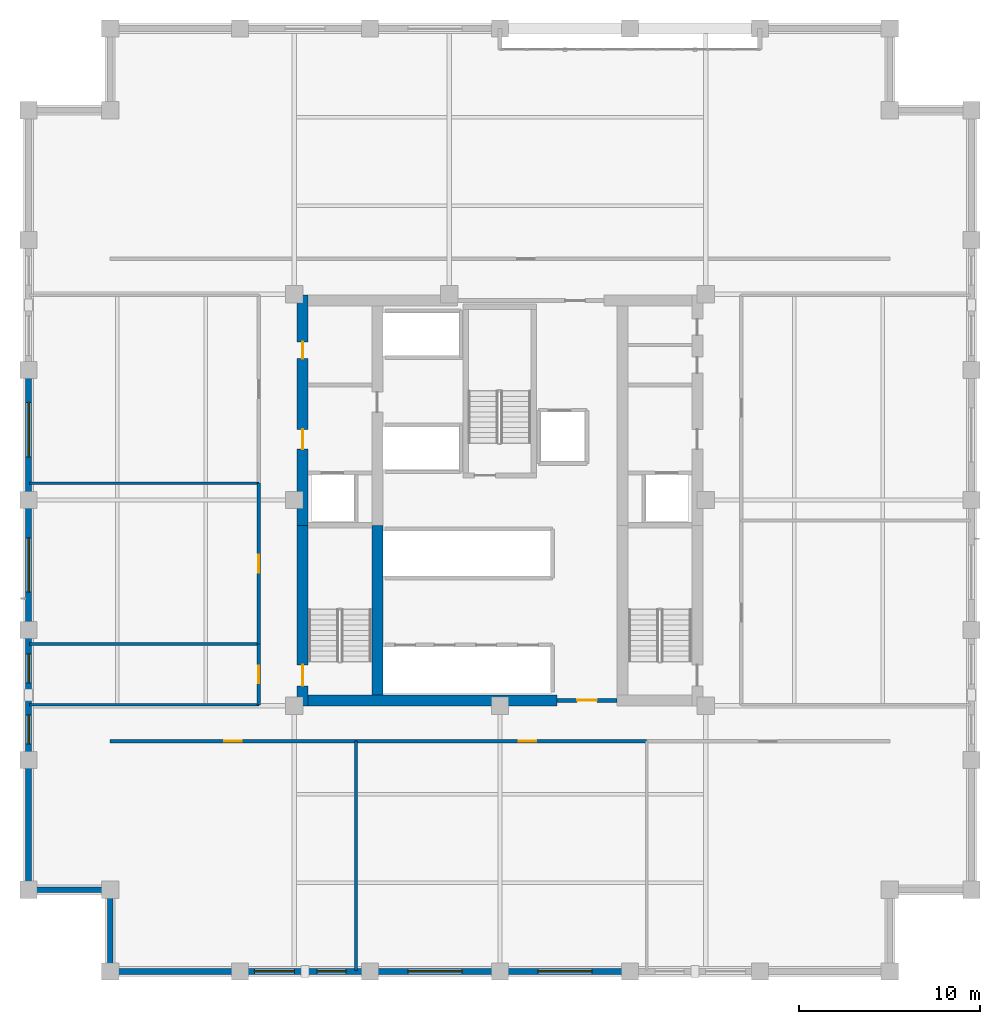
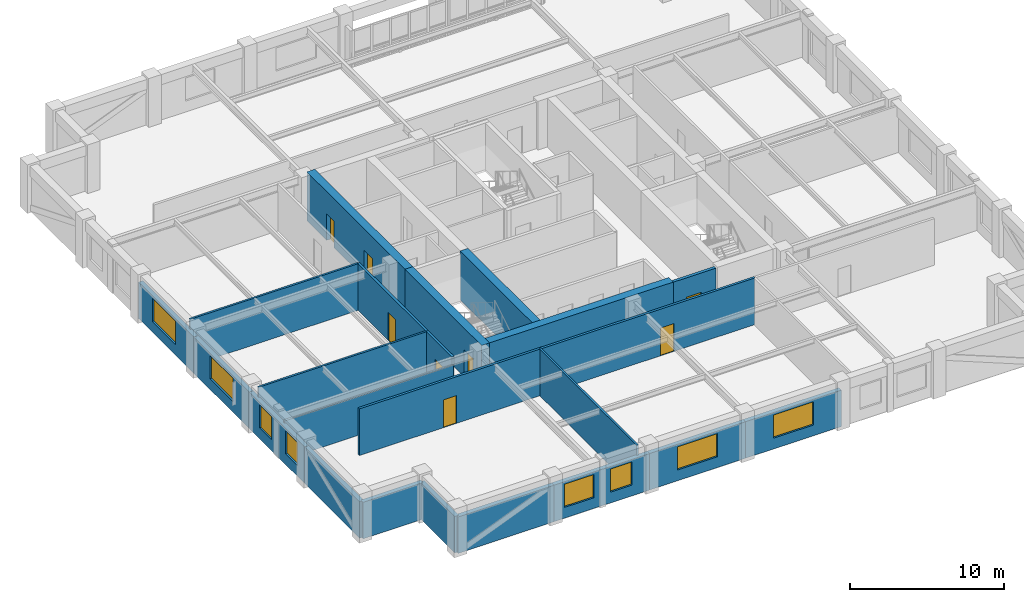
# One storey, part 6 of 11: 23 walls, 8 doors, 8 windows, 16 openings.
"""IFC4 building model written with IfcOpenShell, lengths in metres."""

from ifc_helpers import new_model, si_unit, direction, frame, frame_2d, origin, place, context, subcontext, project, spatial, rectangle, extrude, material, layer, layer_set, type_object, element, fill, save


model = new_model("IFC4")

# Units and contexts
model_context = context("Model", 3, precision=1e-05, world=origin(), true_north=direction((0.0, 1.0)))
body_context = subcontext(model_context, "Body", "Model", "MODEL_VIEW")
ifc_project = project(units=[si_unit("LENGTHUNIT", "METRE"), si_unit("AREAUNIT", "SQUARE_METRE"), si_unit("VOLUMEUNIT", "CUBIC_METRE"), si_unit("PLANEANGLEUNIT", "RADIAN"), si_unit("MASSUNIT", "GRAM", prefix="KILO")], contexts=[model_context])

# Site, building, storey
site_placement = place(None, origin())
site = spatial("IfcSite", under=ifc_project, at=site_placement, CompositionType="ELEMENT")
building_placement = place(site_placement, origin())
building = spatial("IfcBuilding", under=site, at=building_placement, Name="Nhamokura Convention Tower", CompositionType="ELEMENT")
storey_placement = place(building_placement, frame((0.0, 0.0, 133.699951171875)))
storey = spatial("IfcBuildingStorey", under=building, at=storey_placement, Name="L32", CompositionType="ELEMENT", Elevation=133.699951171875)

# Wall
ifc_material_1 = material(Name="Bronze-pigmented precast concrete C45/55", Category="concrete")
ifc_layer_1 = layer(ifc_material_1, 0.320068359375)
ifc_layer_set_1 = layer_set([ifc_layer_1], Name="BronzePrecastSpandrel_320")
wall_type_1 = type_object("IfcWallType", Name="BronzePrecastSpandrel_320", PredefinedType="USERDEFINED", material=ifc_layer_set_1)
wall_1_placement = place(storey_placement, frame((17.666748046875, 6.0, 0.0), z_axis=(0.0, 0.0, 1.0), x_axis=(-1.0, 0.0, 0.0)))
element("IfcWall", 1, at=wall_1_placement, inside=storey, type_object=wall_type_1, Name="L32 Braced-Bay Precast Wall SOUTH 0", ObjectType="SPANDREL_WALL", PredefinedType="USERDEFINED", context=body_context, shape_type="SweptSolid", body=[
    extrude(rectangle(XDim=7.166748046875, YDim=0.320068359375, at=frame_2d((3.58349609375, 0.0))), origin(), (0.0, 0.0, 1.0), 2.885009765625),
])

# Wall, openings, windows
wall_2_placement = place(storey_placement, frame((24.833251953125, 6.0, 0.0), z_axis=(0.0, 0.0, 1.0), x_axis=(-1.0, 0.0, 0.0)))
wall_2 = element("IfcWall", 2, at=wall_2_placement, inside=storey, type_object=wall_type_1, Name="L32 Masonry-Frame Wall SOUTH 1", ObjectType="SPANDREL_WALL", PredefinedType="USERDEFINED", context=body_context, shape_type="SweptSolid", body=[
    extrude(rectangle(XDim=7.16650390625, YDim=0.320068359375, at=frame_2d((3.583251953125, 0.0))), origin(), (0.0, 0.0, 1.0), 2.885009765625),
])
opening_1_placement = place(wall_2_placement, frame((1.316650390625, 0.0, 0.85009765625)))
opening_1 = element("IfcOpeningElement", 3, at=opening_1_placement, cuts=wall_2, Name="Opening W-11", PredefinedType="OPENING", context=body_context, shape_type="SweptSolid", body=[
    extrude(rectangle(XDim=1.60009765625, YDim=1.8349609375, at=frame_2d((0.800048828125, 0.91748046875))), frame((0.0, 0.169921875, 0.0), z_axis=(0.0, -1.0, 0.0), x_axis=(1.0, 0.0, 0.0)), (0.0, 0.0, 1.0), 0.340087890625),
])
opening_2_placement = place(wall_2_placement, frame((4.175048828125, 0.0, 0.85009765625)))
opening_2 = element("IfcOpeningElement", 4, at=opening_2_placement, cuts=wall_2, Name="Opening W-06", PredefinedType="OPENING", context=body_context, shape_type="SweptSolid", body=[
    extrude(rectangle(XDim=2.199951171875, YDim=1.8349609375, at=frame_2d((1.10009765625, 0.91748046875))), frame((0.0, 0.169921875, 0.0), z_axis=(0.0, -1.0, 0.0), x_axis=(1.0, 0.0, 0.0)), (0.0, 0.0, 1.0), 0.340087890625),
])
ifc_material_2 = material(Name="Solar-control bronze low-E double glass", Category="glass")
window_type_1 = type_object("IfcWindowType", Name="NotchCornerWindow_1600", PartitioningType="SINGLE_PANEL", PredefinedType="WINDOW", material=ifc_material_2)
window_1_placement = place(opening_1_placement, origin())
window_1 = element("IfcWindow", 5, at=window_1_placement, inside=storey, type_object=window_type_1, Name="L32 Facade Window SOUTH 1-1", OverallHeight=1.8349609375, OverallWidth=1.60009765625, PartitioningType="SINGLE_PANEL", PredefinedType="WINDOW", context=body_context, shape_type="SweptSolid", body=[
    extrude(rectangle(XDim=1.60009765625, YDim=1.8349609375, at=frame_2d((0.800048828125, 0.91748046875))), frame((0.0, 0.030029296875, 0.0), z_axis=(0.0, -1.0, 0.0), x_axis=(1.0, 0.0, 0.0)), (0.0, 0.0, 1.0), 0.06005859375),
])
fill(opening_1, window_1)
ifc_material_3 = material(Name="Solar-control bronze low-E double glass", Category="glass")
window_type_2 = type_object("IfcWindowType", Name="OfficeModuleWindow_Z2_2200", PartitioningType="SINGLE_PANEL", PredefinedType="WINDOW", material=ifc_material_3)
window_2_placement = place(opening_2_placement, origin())
window_2 = element("IfcWindow", 6, at=window_2_placement, inside=storey, type_object=window_type_2, Name="L32 Facade Window SOUTH 1-2", OverallHeight=1.8349609375, OverallWidth=2.199951171875, PartitioningType="SINGLE_PANEL", PredefinedType="WINDOW", context=body_context, shape_type="SweptSolid", body=[
    extrude(rectangle(XDim=2.199951171875, YDim=1.8349609375, at=frame_2d((1.10009765625, 0.91748046875))), frame((0.0, 0.030029296875, 0.0), z_axis=(0.0, -1.0, 0.0), x_axis=(1.0, 0.0, 0.0)), (0.0, 0.0, 1.0), 0.06005859375),
])
fill(opening_2, window_2)

# Wall, opening, window
wall_3_placement = place(storey_placement, frame((32.0, 6.0, 0.0), z_axis=(0.0, 0.0, 1.0), x_axis=(-1.0, 0.0, 0.0)))
wall_3 = element("IfcWall", 7, at=wall_3_placement, inside=storey, type_object=wall_type_1, Name="L32 Masonry-Frame Wall SOUTH 2", ObjectType="SPANDREL_WALL", PredefinedType="USERDEFINED", context=body_context, shape_type="SweptSolid", body=[
    extrude(rectangle(XDim=7.166748046875, YDim=0.320068359375, at=frame_2d((3.58349609375, 0.0))), origin(), (0.0, 0.0, 1.0), 2.885009765625),
])
opening_3_placement = place(wall_3_placement, frame((2.083251953125, 0.0, 0.85009765625)))
opening_3 = element("IfcOpeningElement", 8, at=opening_3_placement, cuts=wall_3, Name="Opening W-05", PredefinedType="OPENING", context=body_context, shape_type="SweptSolid", body=[
    extrude(rectangle(XDim=3.0, YDim=1.8349609375, at=frame_2d((1.5, 0.91748046875))), frame((0.0, 0.169921875, 0.0), z_axis=(0.0, -1.0, 0.0), x_axis=(1.0, 0.0, 0.0)), (0.0, 0.0, 1.0), 0.340087890625),
])
ifc_material_4 = material(Name="Solar-control bronze low-E double glass", Category="glass")
window_type_3 = type_object("IfcWindowType", Name="OfficeModuleWindow_Z2_3000", PartitioningType="DOUBLE_PANEL_VERTICAL", PredefinedType="WINDOW", material=ifc_material_4)
window_3_placement = place(opening_3_placement, origin())
window_3 = element("IfcWindow", 9, at=window_3_placement, inside=storey, type_object=window_type_3, Name="L32 Facade Window SOUTH 2", OverallHeight=1.8349609375, OverallWidth=3.0, PartitioningType="SINGLE_PANEL", PredefinedType="WINDOW", context=body_context, shape_type="SweptSolid", body=[
    extrude(rectangle(XDim=3.0, YDim=1.8349609375, at=frame_2d((1.5, 0.91748046875))), frame((0.0, 0.030029296875, 0.0), z_axis=(0.0, -1.0, 0.0), x_axis=(1.0, 0.0, 0.0)), (0.0, 0.0, 1.0), 0.06005859375),
])
fill(opening_3, window_3)

wall_4_placement = place(storey_placement, frame((39.166748046875, 6.0, 0.0), z_axis=(0.0, 0.0, 1.0), x_axis=(-1.0, 0.0, 0.0)))
wall_4 = element("IfcWall", 10, at=wall_4_placement, inside=storey, type_object=wall_type_1, Name="L32 Masonry-Frame Wall SOUTH 3", ObjectType="SPANDREL_WALL", PredefinedType="USERDEFINED", context=body_context, shape_type="SweptSolid", body=[
    extrude(rectangle(XDim=7.166748046875, YDim=0.320068359375, at=frame_2d((3.58349609375, 0.0))), origin(), (0.0, 0.0, 1.0), 2.885009765625),
])
opening_4_placement = place(wall_4_placement, frame((2.083251953125, 0.0, 0.85009765625)))
opening_4 = element("IfcOpeningElement", 11, at=opening_4_placement, cuts=wall_4, Name="Opening W-05", PredefinedType="OPENING", context=body_context, shape_type="SweptSolid", body=[
    extrude(rectangle(XDim=3.0, YDim=1.8349609375, at=frame_2d((1.5, 0.91748046875))), frame((0.0, 0.169921875, 0.0), z_axis=(0.0, -1.0, 0.0), x_axis=(1.0, 0.0, 0.0)), (0.0, 0.0, 1.0), 0.340087890625),
])
window_4_placement = place(opening_4_placement, origin())
window_4 = element("IfcWindow", 12, at=window_4_placement, inside=storey, type_object=window_type_3, Name="L32 Facade Window SOUTH 3", OverallHeight=1.8349609375, OverallWidth=3.0, PartitioningType="SINGLE_PANEL", PredefinedType="WINDOW", context=body_context, shape_type="SweptSolid", body=[
    extrude(rectangle(XDim=3.0, YDim=1.8349609375, at=frame_2d((1.5, 0.91748046875))), frame((0.0, 0.030029296875, 0.0), z_axis=(0.0, -1.0, 0.0), x_axis=(1.0, 0.0, 0.0)), (0.0, 0.0, 1.0), 0.06005859375),
])
fill(opening_4, window_4)

# Wall
wall_5_placement = place(storey_placement, frame((6.0, 10.5, 0.0), z_axis=(0.0, 0.0, 1.0), x_axis=(0.0, 1.0, 0.0)))
element("IfcWall", 13, at=wall_5_placement, inside=storey, type_object=wall_type_1, Name="L32 Braced-Bay Precast Wall WEST 0", ObjectType="SPANDREL_WALL", PredefinedType="USERDEFINED", context=body_context, shape_type="SweptSolid", body=[
    extrude(rectangle(XDim=7.166748046875, YDim=0.320068359375, at=frame_2d((3.58349609375, 0.0))), origin(), (0.0, 0.0, 1.0), 2.885009765625),
])

# Wall, openings, windows
wall_6_placement = place(storey_placement, frame((6.0, 17.666748046875, 0.0), z_axis=(0.0, 0.0, 1.0), x_axis=(0.0, 1.0, 0.0)))
wall_6 = element("IfcWall", 14, at=wall_6_placement, inside=storey, type_object=wall_type_1, Name="L32 Masonry-Frame Wall WEST 1", ObjectType="SPANDREL_WALL", PredefinedType="USERDEFINED", context=body_context, shape_type="SweptSolid", body=[
    extrude(rectangle(XDim=7.16650390625, YDim=0.320068359375, at=frame_2d((3.583251953125, 0.0))), origin(), (0.0, 0.0, 1.0), 2.885009765625),
])
opening_5_placement = place(wall_6_placement, frame((0.879150390625, 0.0, 0.85009765625)))
opening_5 = element("IfcOpeningElement", 15, at=opening_5_placement, cuts=wall_6, Name="Opening W-11", PredefinedType="OPENING", context=body_context, shape_type="SweptSolid", body=[
    extrude(rectangle(XDim=1.60009765625, YDim=1.8349609375, at=frame_2d((0.800048828125, 0.91748046875))), frame((0.0, 0.169921875, 0.0), z_axis=(0.0, -1.0, 0.0), x_axis=(1.0, 0.0, 0.0)), (0.0, 0.0, 1.0), 0.340087890625),
])
opening_6_placement = place(wall_6_placement, frame((4.25, 0.0, 0.85009765625)))
opening_6 = element("IfcOpeningElement", 16, at=opening_6_placement, cuts=wall_6, Name="Opening W-11", PredefinedType="OPENING", context=body_context, shape_type="SweptSolid", body=[
    extrude(rectangle(XDim=1.60009765625, YDim=1.8349609375, at=frame_2d((0.800048828125, 0.91748046875))), frame((0.0, 0.169921875, 0.0), z_axis=(0.0, -1.0, 0.0), x_axis=(1.0, 0.0, 0.0)), (0.0, 0.0, 1.0), 0.340087890625),
])
window_5_placement = place(opening_5_placement, origin())
window_5 = element("IfcWindow", 17, at=window_5_placement, inside=storey, type_object=window_type_1, Name="L32 Facade Window WEST 1-1", OverallHeight=1.8349609375, OverallWidth=1.60009765625, PartitioningType="SINGLE_PANEL", PredefinedType="WINDOW", context=body_context, shape_type="SweptSolid", body=[
    extrude(rectangle(XDim=1.60009765625, YDim=1.8349609375, at=frame_2d((0.800048828125, 0.91748046875))), frame((0.0, 0.030029296875, 0.0), z_axis=(0.0, -1.0, 0.0), x_axis=(1.0, 0.0, 0.0)), (0.0, 0.0, 1.0), 0.06005859375),
])
fill(opening_5, window_5)
window_6_placement = place(opening_6_placement, origin())
window_6 = element("IfcWindow", 18, at=window_6_placement, inside=storey, type_object=window_type_1, Name="L32 Facade Window WEST 1-2", OverallHeight=1.8349609375, OverallWidth=1.60009765625, PartitioningType="SINGLE_PANEL", PredefinedType="WINDOW", context=body_context, shape_type="SweptSolid", body=[
    extrude(rectangle(XDim=1.60009765625, YDim=1.8349609375, at=frame_2d((0.800048828125, 0.91748046875))), frame((0.0, 0.030029296875, 0.0), z_axis=(0.0, -1.0, 0.0), x_axis=(1.0, 0.0, 0.0)), (0.0, 0.0, 1.0), 0.06005859375),
])
fill(opening_6, window_6)

# Wall, opening, window
wall_7_placement = place(storey_placement, frame((6.0, 24.833251953125, 0.0), z_axis=(0.0, 0.0, 1.0), x_axis=(0.0, 1.0, 0.0)))
wall_7 = element("IfcWall", 19, at=wall_7_placement, inside=storey, type_object=wall_type_1, Name="L32 Masonry-Frame Wall WEST 2", ObjectType="SPANDREL_WALL", PredefinedType="USERDEFINED", context=body_context, shape_type="SweptSolid", body=[
    extrude(rectangle(XDim=7.166748046875, YDim=0.320068359375, at=frame_2d((3.58349609375, 0.0))), origin(), (0.0, 0.0, 1.0), 2.885009765625),
])
opening_7_placement = place(wall_7_placement, frame((2.083251953125, 0.0, 0.85009765625)))
opening_7 = element("IfcOpeningElement", 20, at=opening_7_placement, cuts=wall_7, Name="Opening W-05", PredefinedType="OPENING", context=body_context, shape_type="SweptSolid", body=[
    extrude(rectangle(XDim=3.0, YDim=1.8349609375, at=frame_2d((1.5, 0.91748046875))), frame((0.0, 0.169921875, 0.0), z_axis=(0.0, -1.0, 0.0), x_axis=(1.0, 0.0, 0.0)), (0.0, 0.0, 1.0), 0.340087890625),
])
window_7_placement = place(opening_7_placement, origin())
window_7 = element("IfcWindow", 21, at=window_7_placement, inside=storey, type_object=window_type_3, Name="L32 Facade Window WEST 2", OverallHeight=1.8349609375, OverallWidth=3.0, PartitioningType="SINGLE_PANEL", PredefinedType="WINDOW", context=body_context, shape_type="SweptSolid", body=[
    extrude(rectangle(XDim=3.0, YDim=1.8349609375, at=frame_2d((1.5, 0.91748046875))), frame((0.0, 0.030029296875, 0.0), z_axis=(0.0, -1.0, 0.0), x_axis=(1.0, 0.0, 0.0)), (0.0, 0.0, 1.0), 0.06005859375),
])
fill(opening_7, window_7)

wall_8_placement = place(storey_placement, frame((6.0, 32.0, 0.0), z_axis=(0.0, 0.0, 1.0), x_axis=(0.0, 1.0, 0.0)))
wall_8 = element("IfcWall", 22, at=wall_8_placement, inside=storey, type_object=wall_type_1, Name="L32 Masonry-Frame Wall WEST 3", ObjectType="SPANDREL_WALL", PredefinedType="USERDEFINED", context=body_context, shape_type="SweptSolid", body=[
    extrude(rectangle(XDim=7.166748046875, YDim=0.320068359375, at=frame_2d((3.58349609375, 0.0))), origin(), (0.0, 0.0, 1.0), 2.885009765625),
])
opening_8_placement = place(wall_8_placement, frame((2.38330078125, 0.0, 0.85009765625)))
opening_8 = element("IfcOpeningElement", 23, at=opening_8_placement, cuts=wall_8, Name="Opening W-05", PredefinedType="OPENING", context=body_context, shape_type="SweptSolid", body=[
    extrude(rectangle(XDim=3.0, YDim=1.8349609375, at=frame_2d((1.5, 0.91748046875))), frame((0.0, 0.169921875, 0.0), z_axis=(0.0, -1.0, 0.0), x_axis=(1.0, 0.0, 0.0)), (0.0, 0.0, 1.0), 0.340087890625),
])
window_8_placement = place(opening_8_placement, origin())
window_8 = element("IfcWindow", 24, at=window_8_placement, inside=storey, type_object=window_type_3, Name="L32 Facade Window WEST 3", OverallHeight=1.8349609375, OverallWidth=3.0, PartitioningType="SINGLE_PANEL", PredefinedType="WINDOW", context=body_context, shape_type="SweptSolid", body=[
    extrude(rectangle(XDim=3.0, YDim=1.8349609375, at=frame_2d((1.5, 0.91748046875))), frame((0.0, 0.030029296875, 0.0), z_axis=(0.0, -1.0, 0.0), x_axis=(1.0, 0.0, 0.0)), (0.0, 0.0, 1.0), 0.06005859375),
])
fill(opening_8, window_8)

# Walls
for number, where, z_axis, x_axis, name in (
    (25, (10.5, 6.0, 0.0), (0.0, 0.0, 1.0), (0.0, 1.0, 0.0), "L32 Notched Corner Wall SW1"),
    (26, (10.5, 10.5, 0.0), (0.0, 0.0, 1.0), (-1.0, 0.0, 0.0), "L32 Notched Corner Wall SW2"),
):
    element("IfcWall", number, at=place(storey_placement, frame(where, z_axis=z_axis, x_axis=x_axis)), inside=storey, type_object=wall_type_1, Name=name, ObjectType="SPANDREL_WALL", PredefinedType="USERDEFINED", context=body_context, shape_type="SweptSolid", body=[
        extrude(rectangle(XDim=4.5, YDim=0.320068359375, at=frame_2d((2.25, 0.0))), origin(), (0.0, 0.0, 1.0), 2.885009765625),
    ])

# Wall, opening, door
ifc_material_5 = material(Name="Concrete C60/75", Category="concrete")
ifc_layer_2 = layer(ifc_material_5, 0.60009765625)
ifc_layer_set_2 = layer_set([ifc_layer_2], Name="CoreShearWall_600")
wall_type_2 = type_object("IfcWallType", Name="CoreShearWall_600", PredefinedType="SHEAR", material=ifc_layer_set_2)
wall_9_placement = place(storey_placement, frame((21.110107421875, 20.64990234375, 0.0), z_axis=(0.0, 0.0, 1.0), x_axis=(0.0, 1.0, 0.0)))
wall_9 = element("IfcWall", 27, at=wall_9_placement, inside=storey, type_object=wall_type_2, Name="L32 Core Shear Wall CW-WS", PredefinedType="SHEAR", context=body_context, shape_type="SweptSolid", body=[
    extrude(rectangle(XDim=9.9501953125, YDim=0.60009765625, at=frame_2d((4.97509765625, 0.0))), origin(), (0.0, 0.0, 1.0), 3.85009765625),
])
opening_9_placement = place(wall_9_placement, frame((1.10009765625, 0.0, 0.0)))
opening_9 = element("IfcOpeningElement", 28, at=opening_9_placement, cuts=wall_9, Name="Opening D-04", PredefinedType="OPENING", context=body_context, shape_type="SweptSolid", body=[
    extrude(rectangle(XDim=1.14990234375, YDim=2.14990234375, at=frame_2d((0.574951171875, 1.074951171875))), frame((0.0, 0.31005859375, 0.0), z_axis=(0.0, -1.0, 0.0), x_axis=(1.0, 0.0, 0.0)), (0.0, 0.0, 1.0), 0.6201171875),
])
ifc_material_6 = material(Name="Fire-rated steel door", Category="steel")
door_type_1 = type_object("IfcDoorType", Name="StairSmokeDoor_1150", OperationType="NOTDEFINED", PredefinedType="DOOR", material=ifc_material_6)
door_1_placement = place(opening_9_placement, origin())
door_1 = element("IfcDoor", 29, at=door_1_placement, inside=storey, type_object=door_type_1, Name="L32 Core Door INT-L32-D-ST01", OperationType="SINGLE_SWING_LEFT", OverallHeight=2.14990234375, OverallWidth=1.14990234375, PredefinedType="DOOR", context=body_context, shape_type="SweptSolid", body=[
    extrude(rectangle(XDim=1.14990234375, YDim=2.14990234375, at=frame_2d((0.574951171875, 1.074951171875))), frame((0.0, 0.02490234375, 0.0), z_axis=(0.0, -1.0, 0.0), x_axis=(1.0, 0.0, 0.0)), (0.0, 0.0, 1.0), 0.050048828125),
])
fill(opening_9, door_1)

# Wall, openings, doors
wall_10_placement = place(storey_placement, frame((21.110107421875, 30.60009765625, 0.0), z_axis=(0.0, 0.0, 1.0), x_axis=(0.0, 1.0, 0.0)))
wall_10 = element("IfcWall", 30, at=wall_10_placement, inside=storey, type_object=wall_type_2, Name="L32 Core Shear Wall CW-WN", PredefinedType="SHEAR", context=body_context, shape_type="SweptSolid", body=[
    extrude(rectangle(XDim=12.699951171875, YDim=0.60009765625, at=frame_2d((6.35009765625, 0.0))), origin(), (0.0, 0.0, 1.0), 3.85009765625),
])
opening_10_placement = place(wall_10_placement, frame((4.199951171875, 0.0, 0.0)))
opening_10 = element("IfcOpeningElement", 31, at=opening_10_placement, cuts=wall_10, Name="Opening D-05", PredefinedType="OPENING", context=body_context, shape_type="SweptSolid", body=[
    extrude(rectangle(XDim=1.10009765625, YDim=2.14990234375, at=frame_2d((0.550048828125, 1.074951171875))), frame((0.0, 0.31005859375, 0.0), z_axis=(0.0, -1.0, 0.0), x_axis=(1.0, 0.0, 0.0)), (0.0, 0.0, 1.0), 0.6201171875),
])
opening_11_placement = place(wall_10_placement, frame((9.199951171875, 0.0, 0.0)))
opening_11 = element("IfcOpeningElement", 32, at=opening_11_placement, cuts=wall_10, Name="Opening D-10", PredefinedType="OPENING", context=body_context, shape_type="SweptSolid", body=[
    extrude(rectangle(XDim=0.919921875, YDim=2.10009765625, at=frame_2d((0.4599609375, 1.050048828125))), frame((0.0, 0.31005859375, 0.0), z_axis=(0.0, -1.0, 0.0), x_axis=(1.0, 0.0, 0.0)), (0.0, 0.0, 1.0), 0.6201171875),
])
ifc_material_7 = material(Name="Solid oak hardwood", Category="wood")
door_type_2 = type_object("IfcDoorType", Name="AccessibleWCDoor_920", OperationType="NOTDEFINED", PredefinedType="DOOR", material=ifc_material_7)
door_2_placement = place(opening_11_placement, origin())
door_2 = element("IfcDoor", 33, at=door_2_placement, inside=storey, type_object=door_type_2, Name="L32 Core Door INT-L32-D-AWC", OperationType="SINGLE_SWING_LEFT", OverallHeight=2.10009765625, OverallWidth=0.919921875, PredefinedType="DOOR", context=body_context, shape_type="SweptSolid", body=[
    extrude(rectangle(XDim=0.919921875, YDim=2.10009765625, at=frame_2d((0.4599609375, 1.050048828125))), frame((0.0, 0.02490234375, 0.0), z_axis=(0.0, -1.0, 0.0), x_axis=(1.0, 0.0, 0.0)), (0.0, 0.0, 1.0), 0.050048828125),
])
fill(opening_11, door_2)
ifc_material_8 = material(Name="Fire-rated steel door", Category="steel")
door_type_3 = type_object("IfcDoorType", Name="FireLobbyDoor_1100", OperationType="NOTDEFINED", PredefinedType="DOOR", material=ifc_material_8)
door_3_placement = place(opening_10_placement, origin())
door_3 = element("IfcDoor", 34, at=door_3_placement, inside=storey, type_object=door_type_3, Name="L32 Core Door INT-L32-D-FFLW", OperationType="SINGLE_SWING_RIGHT", OverallHeight=2.14990234375, OverallWidth=1.10009765625, PredefinedType="DOOR", context=body_context, shape_type="SweptSolid", body=[
    extrude(rectangle(XDim=1.10009765625, YDim=2.14990234375, at=frame_2d((0.550048828125, 1.074951171875))), frame((0.0, 0.02490234375, 0.0), z_axis=(0.0, -1.0, 0.0), x_axis=(1.0, 0.0, 0.0)), (0.0, 0.0, 1.0), 0.050048828125),
])
fill(opening_10, door_3)

# Walls
wall_11_placement = place(storey_placement, frame((21.409912109375, 20.949951171875, 0.0), z_axis=(0.0, 0.0, 1.0), x_axis=(1.0, 0.0, 0.0)))
element("IfcWall", 35, at=wall_11_placement, inside=storey, type_object=wall_type_2, Name="L32 Core Shear Wall CW-S1", PredefinedType="SHEAR", context=body_context, shape_type="SweptSolid", body=[
    extrude(rectangle(XDim=13.739990234375, YDim=0.60009765625, at=frame_2d((6.8701171875, 0.0))), origin(), (0.0, 0.0, 1.0), 3.85009765625),
])
wall_12_placement = place(storey_placement, frame((25.239990234375, 21.25, 0.0), z_axis=(0.0, 0.0, 1.0), x_axis=(0.0, 1.0, 0.0)))
element("IfcWall", 36, at=wall_12_placement, inside=storey, type_object=wall_type_2, Name="L32 Core Shear Wall CW-IWS", PredefinedType="SHEAR", context=body_context, shape_type="SweptSolid", body=[
    extrude(rectangle(XDim=9.35009765625, YDim=0.60009765625, at=frame_2d((4.675048828125, 0.0))), origin(), (0.0, 0.0, 1.0), 3.85009765625),
])

# Wall, opening, door
ifc_material_9 = material(Name="Fire-rated gypsum and masonry partition", Category="masonry")
ifc_layer_3 = layer(ifc_material_9, 0.179931640625)
ifc_layer_set_3 = layer_set([ifc_layer_3], Name="CorridorRatedWall_180")
wall_type_3 = type_object("IfcWallType", Name="CorridorRatedWall_180", PredefinedType="STANDARD", material=ifc_layer_set_3)
wall_13_placement = place(storey_placement, frame((10.5, 18.699951171875, 0.0), z_axis=(0.0, 0.0, 1.0), x_axis=(1.0, 0.0, 0.0)))
wall_13 = element("IfcWall", 37, at=wall_13_placement, inside=storey, type_object=wall_type_3, Name="L32 Wall INT-L32-CW-S00", PredefinedType="STANDARD", context=body_context, shape_type="SweptSolid", body=[
    extrude(rectangle(XDim=13.558349609375, YDim=0.179931640625, at=frame_2d((6.779296875, 0.0))), origin(), (0.0, 0.0, 1.0), 3.68505859375),
])
opening_12_placement = place(wall_13_placement, frame((6.279296875, 0.0, 0.0)))
opening_12 = element("IfcOpeningElement", 38, at=opening_12_placement, cuts=wall_13, Name="Opening D-08", PredefinedType="OPENING", context=body_context, shape_type="SweptSolid", body=[
    extrude(rectangle(XDim=0.97998046875, YDim=2.199951171875, at=frame_2d((0.489990234375, 1.10009765625))), frame((0.0, 0.099853515625, 0.0), z_axis=(0.0, -1.0, 0.0), x_axis=(1.0, 0.0, 0.0)), (0.0, 0.0, 1.0), 0.199951171875),
])
ifc_material_10 = material(Name="Solid oak hardwood", Category="wood")
door_type_4 = type_object("IfcDoorType", Name="OfficeEntryDoor_980", OperationType="NOTDEFINED", PredefinedType="DOOR", material=ifc_material_10)
door_4_placement = place(opening_12_placement, origin())
door_4 = element("IfcDoor", 39, at=door_4_placement, inside=storey, type_object=door_type_4, Name="L32 Training Classroom S01 Door", OperationType="SINGLE_SWING_LEFT", OverallHeight=2.199951171875, OverallWidth=0.97998046875, PredefinedType="DOOR", context=body_context, shape_type="SweptSolid", body=[
    extrude(rectangle(XDim=0.97998046875, YDim=2.199951171875, at=frame_2d((0.489990234375, 1.10009765625))), frame((0.0, 0.02490234375, 0.0), z_axis=(0.0, -1.0, 0.0), x_axis=(1.0, 0.0, 0.0)), (0.0, 0.0, 1.0), 0.050048828125),
])
fill(opening_12, door_4)

wall_14_placement = place(storey_placement, frame((24.058349609375, 18.699951171875, 0.0), z_axis=(0.0, 0.0, 1.0), x_axis=(1.0, 0.0, 0.0)))
wall_14 = element("IfcWall", 40, at=wall_14_placement, inside=storey, type_object=wall_type_3, Name="L32 Wall INT-L32-CW-S01", PredefinedType="STANDARD", context=body_context, shape_type="SweptSolid", body=[
    extrude(rectangle(XDim=16.033447265625, YDim=0.179931640625, at=frame_2d((8.0166015625, 0.0))), origin(), (0.0, 0.0, 1.0), 3.68505859375),
])
opening_13_placement = place(wall_14_placement, frame((8.966796875, 0.0, 0.0)))
opening_13 = element("IfcOpeningElement", 41, at=opening_13_placement, cuts=wall_14, Name="Opening D-08", PredefinedType="OPENING", context=body_context, shape_type="SweptSolid", body=[
    extrude(rectangle(XDim=0.97998046875, YDim=2.199951171875, at=frame_2d((0.489990234375, 1.10009765625))), frame((0.0, 0.099853515625, 0.0), z_axis=(0.0, -1.0, 0.0), x_axis=(1.0, 0.0, 0.0)), (0.0, 0.0, 1.0), 0.199951171875),
])
door_5_placement = place(opening_13_placement, origin())
door_5 = element("IfcDoor", 42, at=door_5_placement, inside=storey, type_object=door_type_4, Name="L32 Training Classroom S02 Door", OperationType="SINGLE_SWING_RIGHT", OverallHeight=2.199951171875, OverallWidth=0.97998046875, PredefinedType="DOOR", context=body_context, shape_type="SweptSolid", body=[
    extrude(rectangle(XDim=0.97998046875, YDim=2.199951171875, at=frame_2d((0.489990234375, 1.10009765625))), frame((0.0, 0.02490234375, 0.0), z_axis=(0.0, -1.0, 0.0), x_axis=(1.0, 0.0, 0.0)), (0.0, 0.0, 1.0), 0.050048828125),
])
fill(opening_13, door_5)

wall_15_placement = place(storey_placement, frame((18.699951171875, 20.699951171875, 0.0), z_axis=(0.0, 0.0, 1.0), x_axis=(0.0, 1.0, 0.0)))
wall_15 = element("IfcWall", 43, at=wall_15_placement, inside=storey, type_object=wall_type_3, Name="L32 Wall INT-L32-CW-W00", PredefinedType="STANDARD", context=body_context, shape_type="SweptSolid", body=[
    extrude(rectangle(XDim=3.3583984375, YDim=0.179931640625, at=frame_2d((1.67919921875, 0.0))), origin(), (0.0, 0.0, 1.0), 3.68505859375),
])
opening_14_placement = place(wall_15_placement, frame((1.17919921875, 0.0, 0.0)))
opening_14 = element("IfcOpeningElement", 44, at=opening_14_placement, cuts=wall_15, Name="Opening D-08", PredefinedType="OPENING", context=body_context, shape_type="SweptSolid", body=[
    extrude(rectangle(XDim=0.97998046875, YDim=2.199951171875, at=frame_2d((0.489990234375, 1.10009765625))), frame((0.0, 0.099853515625, 0.0), z_axis=(0.0, -1.0, 0.0), x_axis=(1.0, 0.0, 0.0)), (0.0, 0.0, 1.0), 0.199951171875),
])
door_6_placement = place(opening_14_placement, origin())
door_6 = element("IfcDoor", 45, at=door_6_placement, inside=storey, type_object=door_type_4, Name="L32 Computer Laboratory W01 Door", OperationType="SINGLE_SWING_LEFT", OverallHeight=2.199951171875, OverallWidth=0.97998046875, PredefinedType="DOOR", context=body_context, shape_type="SweptSolid", body=[
    extrude(rectangle(XDim=0.97998046875, YDim=2.199951171875, at=frame_2d((0.489990234375, 1.10009765625))), frame((0.0, 0.02490234375, 0.0), z_axis=(0.0, -1.0, 0.0), x_axis=(1.0, 0.0, 0.0)), (0.0, 0.0, 1.0), 0.050048828125),
])
fill(opening_14, door_6)

wall_16_placement = place(storey_placement, frame((18.699951171875, 24.058349609375, 0.0), z_axis=(0.0, 0.0, 1.0), x_axis=(0.0, 1.0, 0.0)))
wall_16 = element("IfcWall", 46, at=wall_16_placement, inside=storey, type_object=wall_type_3, Name="L32 Wall INT-L32-CW-W01", PredefinedType="STANDARD", context=body_context, shape_type="SweptSolid", body=[
    extrude(rectangle(XDim=8.86669921875, YDim=0.179931640625, at=frame_2d((4.433349609375, 0.0))), origin(), (0.0, 0.0, 1.0), 3.68505859375),
])
opening_15_placement = place(wall_16_placement, frame((3.933349609375, 0.0, 0.0)))
opening_15 = element("IfcOpeningElement", 47, at=opening_15_placement, cuts=wall_16, Name="Opening D-08", PredefinedType="OPENING", context=body_context, shape_type="SweptSolid", body=[
    extrude(rectangle(XDim=0.97998046875, YDim=2.199951171875, at=frame_2d((0.489990234375, 1.10009765625))), frame((0.0, 0.099853515625, 0.0), z_axis=(0.0, -1.0, 0.0), x_axis=(1.0, 0.0, 0.0)), (0.0, 0.0, 1.0), 0.199951171875),
])
door_7_placement = place(opening_15_placement, origin())
door_7 = element("IfcDoor", 48, at=door_7_placement, inside=storey, type_object=door_type_4, Name="L32 Meeting Room W02 Door", OperationType="SINGLE_SWING_RIGHT", OverallHeight=2.199951171875, OverallWidth=0.97998046875, PredefinedType="DOOR", context=body_context, shape_type="SweptSolid", body=[
    extrude(rectangle(XDim=0.97998046875, YDim=2.199951171875, at=frame_2d((0.489990234375, 1.10009765625))), frame((0.0, 0.02490234375, 0.0), z_axis=(0.0, -1.0, 0.0), x_axis=(1.0, 0.0, 0.0)), (0.0, 0.0, 1.0), 0.050048828125),
])
fill(opening_15, door_7)

ifc_material_11 = material(Name="Autoclaved concrete blockwork", Category="masonry")
ifc_layer_4 = layer(ifc_material_11, 0.219970703125)
ifc_layer_set_4 = layer_set([ifc_layer_4], Name="FireLobbyWall_220")
wall_type_4 = type_object("IfcWallType", Name="FireLobbyWall_220", PredefinedType="STANDARD", material=ifc_layer_set_4)
wall_17_placement = place(storey_placement, frame((35.14990234375, 20.949951171875, 0.0), z_axis=(0.0, 0.0, 1.0), x_axis=(1.0, 0.0, 0.0)))
wall_17 = element("IfcWall", 49, at=wall_17_placement, inside=storey, type_object=wall_type_4, Name="L32 Wall INT-L32-SPORT-S", PredefinedType="STANDARD", context=body_context, shape_type="SweptSolid", body=[
    extrude(rectangle(XDim=3.300048828125, YDim=0.219970703125, at=frame_2d((1.64990234375, 0.0))), origin(), (0.0, 0.0, 1.0), 3.68505859375),
])
opening_16_placement = place(wall_17_placement, frame((1.10009765625, 0.0, 0.0)))
opening_16 = element("IfcOpeningElement", 50, at=opening_16_placement, cuts=wall_17, Name="Opening D-05", PredefinedType="OPENING", context=body_context, shape_type="SweptSolid", body=[
    extrude(rectangle(XDim=1.10009765625, YDim=2.14990234375, at=frame_2d((0.550048828125, 1.074951171875))), frame((0.0, 0.119873046875, 0.0), z_axis=(0.0, -1.0, 0.0), x_axis=(1.0, 0.0, 0.0)), (0.0, 0.0, 1.0), 0.239990234375),
])
door_8_placement = place(opening_16_placement, origin())
door_8 = element("IfcDoor", 51, at=door_8_placement, inside=storey, type_object=door_type_3, Name="L32 South Core Lobby Portal Door", OperationType="SINGLE_SWING_LEFT", OverallHeight=2.14990234375, OverallWidth=1.10009765625, PredefinedType="DOOR", context=body_context, shape_type="SweptSolid", body=[
    extrude(rectangle(XDim=1.10009765625, YDim=2.14990234375, at=frame_2d((0.550048828125, 1.074951171875))), frame((0.0, 0.02490234375, 0.0), z_axis=(0.0, -1.0, 0.0), x_axis=(1.0, 0.0, 0.0)), (0.0, 0.0, 1.0), 0.050048828125),
])
fill(opening_16, door_8)

# Walls
ifc_material_12 = material(Name="Acoustic gypsum stud partition", Category="masonry")
ifc_layer_5 = layer(ifc_material_12, 0.14990234375)
ifc_layer_set_5 = layer_set([ifc_layer_5], Name="InteriorPartition_150")
wall_type_5 = type_object("IfcWallType", Name="InteriorPartition_150", PredefinedType="STANDARD", material=ifc_layer_set_5)
wall_18_placement = place(storey_placement, frame((24.058349609375, 6.06005859375, 0.0), z_axis=(0.0, 0.0, 1.0), x_axis=(0.0, 1.0, 0.0)))
element("IfcWall", 52, at=wall_18_placement, inside=storey, type_object=wall_type_5, Name="L32 Wall INT-L32-RW-S01", PredefinedType="STANDARD", context=body_context, shape_type="SweptSolid", body=[
    extrude(rectangle(XDim=12.639892578125, YDim=0.14990234375, at=frame_2d((6.31982421875, 0.0))), origin(), (0.0, 0.0, 1.0), 3.68505859375),
])
wall_19_placement = place(storey_placement, frame((6.06005859375, 20.699951171875, 0.0), z_axis=(0.0, 0.0, 1.0), x_axis=(1.0, 0.0, 0.0)))
element("IfcWall", 53, at=wall_19_placement, inside=storey, type_object=wall_type_5, Name="L32 Wall INT-L32-RWB-W", PredefinedType="STANDARD", context=body_context, shape_type="SweptSolid", body=[
    extrude(rectangle(XDim=12.639892578125, YDim=0.14990234375, at=frame_2d((6.31982421875, 0.0))), origin(), (0.0, 0.0, 1.0), 3.06494140625),
])
for number, where, z_axis, x_axis, name in (
    (54, (6.06005859375, 24.058349609375, 0.0), (0.0, 0.0, 1.0), (1.0, 0.0, 0.0), "L32 Wall INT-L32-RW-W01"),
    (55, (6.06005859375, 32.925048828125, 0.0), (0.0, 0.0, 1.0), (1.0, 0.0, 0.0), "L32 Wall INT-L32-RW-W02"),
):
    element("IfcWall", number, at=place(storey_placement, frame(where, z_axis=z_axis, x_axis=x_axis)), inside=storey, type_object=wall_type_5, Name=name, PredefinedType="STANDARD", context=body_context, shape_type="SweptSolid", body=[
        extrude(rectangle(XDim=12.639892578125, YDim=0.14990234375, at=frame_2d((6.31982421875, 0.0))), origin(), (0.0, 0.0, 1.0), 3.68505859375),
    ])

save(model, "model.ifc")
